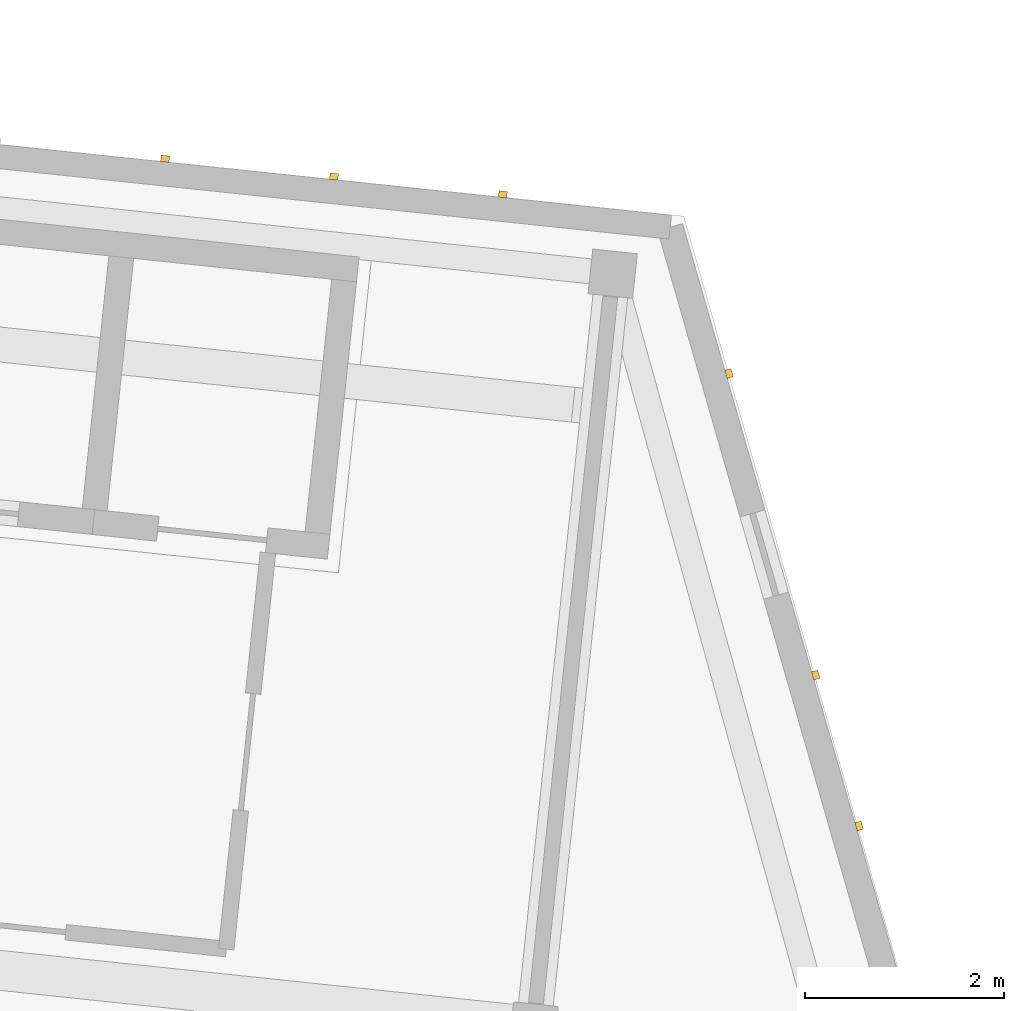
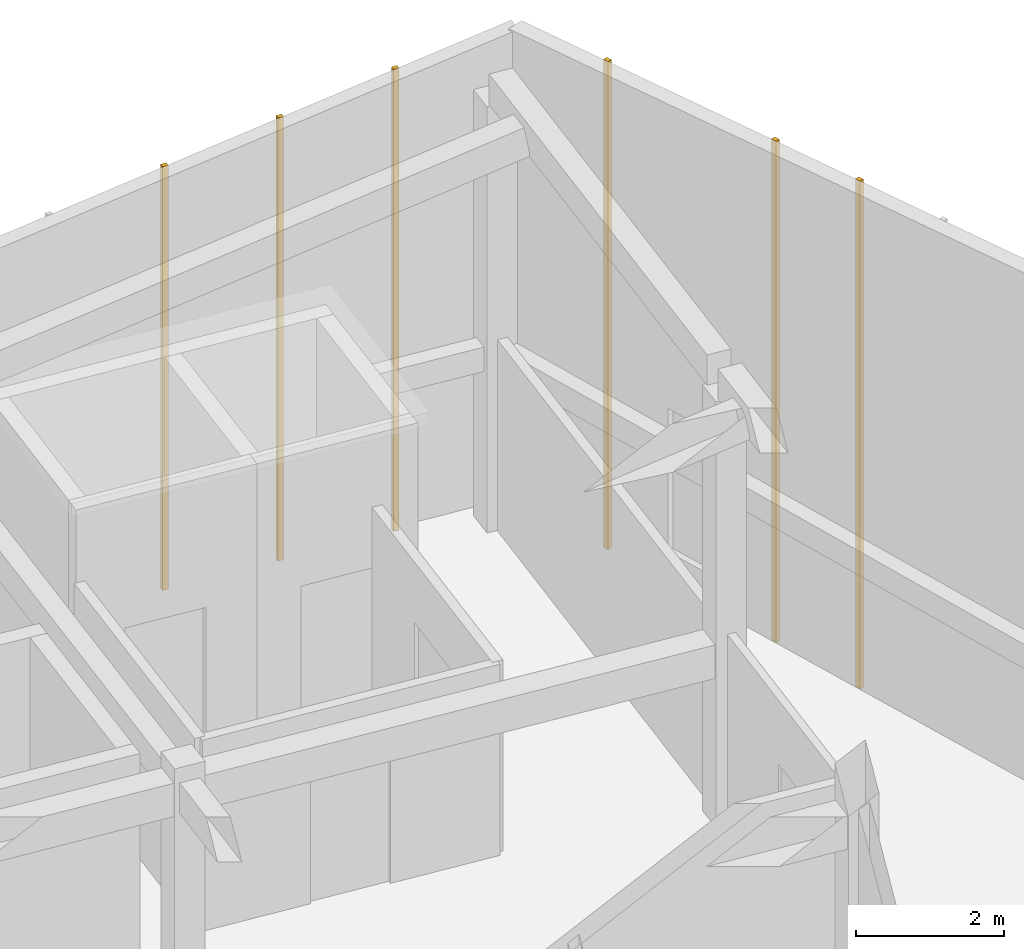
# One storey, part 31 of 31: 6 coverings.
"""IFC4 building model written with IfcOpenShell, lengths in metres."""

from ifc_helpers import new_model, si_unit, direction, frame, origin, origin_2d, place, context, subcontext, project, spatial, rectangle, extrude, material, layer, layer_set, type_object, element, save


model = new_model("IFC4")

# Units and contexts
model_context = context("Model", 3, precision=1e-05, world=origin(), true_north=direction((0.0, 1.0)))
body_context = subcontext(model_context, "Body", "Model", "MODEL_VIEW")
ifc_project = project(units=[si_unit("LENGTHUNIT", "METRE"), si_unit("AREAUNIT", "SQUARE_METRE"), si_unit("VOLUMEUNIT", "CUBIC_METRE"), si_unit("PLANEANGLEUNIT", "RADIAN"), si_unit("MASSUNIT", "GRAM", prefix="KILO")], contexts=[model_context])

# Site, building, storey
site_placement = place(None, origin())
site = spatial("IfcSite", under=ifc_project, at=site_placement, CompositionType="ELEMENT")
building_placement = place(site_placement, origin())
building = spatial("IfcBuilding", under=site, at=building_placement, Name="Kestramere Prow Commons", CompositionType="ELEMENT")
storey_placement = place(building_placement, frame((0.0, 0.0, 37.64990234375)))
storey = spatial("IfcBuildingStorey", under=building, at=storey_placement, Name="L11", CompositionType="ELEMENT", Elevation=37.64990234375)

# Coverings
ifc_material = material(Name="Weathered Zinc-Titanium Standing-Seam Cladding")
ifc_layer = layer(ifc_material, 0.074951171875)
ifc_layer_set = layer_set([ifc_layer], Name="Weathered Zinc-Titanium Standing-Seam Cladding")
covering_type = type_object("IfcCoveringType", Name="COV-CLAD-SEAM", PredefinedType="CLADDING", material=ifc_layer_set)
covering_1_placement = place(storey_placement, frame((155.291748046875, 110.428955078125, -0.25), z_axis=(0.0, 0.0, 1.0), x_axis=(0.994521895368, -0.104528463268, 0.0)))
element("IfcCovering", 1, at=covering_1_placement, inside=storey, type_object=covering_type, Name="EW-B-L11-N-5 Standing-Seam Rib 2", PredefinedType="CLADDING", context=body_context, shape_type="SweptSolid", body=[
    extrude(rectangle(XDim=0.0849609375, YDim=0.06494140625, at=origin_2d()), origin(), (0.0, 0.0, 1.0), 6.986572265625),
])
covering_2_placement = place(storey_placement, frame((156.987548828125, 110.250732421875, -0.25), z_axis=(0.0, 0.0, 1.0), x_axis=(0.994521895368, -0.104528463268, 0.0)))
element("IfcCovering", 2, at=covering_2_placement, inside=storey, type_object=covering_type, Name="EW-B-L11-N-5 Standing-Seam Rib 3", PredefinedType="CLADDING", context=body_context, shape_type="SweptSolid", body=[
    extrude(rectangle(XDim=0.0849609375, YDim=0.06494140625, at=origin_2d()), origin(), (0.0, 0.0, 1.0), 7.302978515625),
])
covering_3_placement = place(storey_placement, frame((158.68310546875, 110.072509765625, -0.249755859375), z_axis=(0.0, 0.0, 1.0), x_axis=(0.994521895368, -0.104528463268, 0.0)))
element("IfcCovering", 3, at=covering_3_placement, inside=storey, type_object=covering_type, Name="EW-B-L11-N-5 Standing-Seam Rib 4", PredefinedType="CLADDING", context=body_context, shape_type="SweptSolid", body=[
    extrude(rectangle(XDim=0.0849609375, YDim=0.06494140625, at=origin_2d()), origin(), (0.0, 0.0, 1.0), 7.619140625),
])
covering_4_placement = place(storey_placement, frame((160.954345703125, 108.273193359375, -0.25), z_axis=(0.0, 0.0, 1.0), x_axis=(0.27631844013, -0.961066136977, 0.0)))
element("IfcCovering", 4, at=covering_4_placement, inside=storey, type_object=covering_type, Name="EW-B-L11-PRW-N Standing-Seam Rib 1", PredefinedType="CLADDING", context=body_context, shape_type="SweptSolid", body=[
    extrude(rectangle(XDim=0.0849609375, YDim=0.06494140625, at=origin_2d()), origin(), (0.0, 0.0, 1.0), 8.04541015625),
])
covering_5_placement = place(storey_placement, frame((161.824951171875, 105.24462890625, -0.249755859375), z_axis=(0.0, 0.0, 1.0), x_axis=(0.27631844013, -0.961066136977, 0.0)))
element("IfcCovering", 5, at=covering_5_placement, inside=storey, type_object=covering_type, Name="EW-B-L11-PRW-N Standing-Seam Rib 3", PredefinedType="CLADDING", context=body_context, shape_type="SweptSolid", body=[
    extrude(rectangle(XDim=0.0849609375, YDim=0.06494140625, at=origin_2d()), origin(), (0.0, 0.0, 1.0), 8.2646484375),
])
covering_6_placement = place(storey_placement, frame((162.260498046875, 103.73046875, -0.25), z_axis=(0.0, 0.0, 1.0), x_axis=(0.27631844013, -0.961066136977, 0.0)))
element("IfcCovering", 6, at=covering_6_placement, inside=storey, type_object=covering_type, Name="EW-B-L11-PRW-N Standing-Seam Rib 4", PredefinedType="CLADDING", context=body_context, shape_type="SweptSolid", body=[
    extrude(rectangle(XDim=0.0849609375, YDim=0.06494140625, at=origin_2d()), origin(), (0.0, 0.0, 1.0), 8.37451171875),
])

save(model, "model.ifc")
